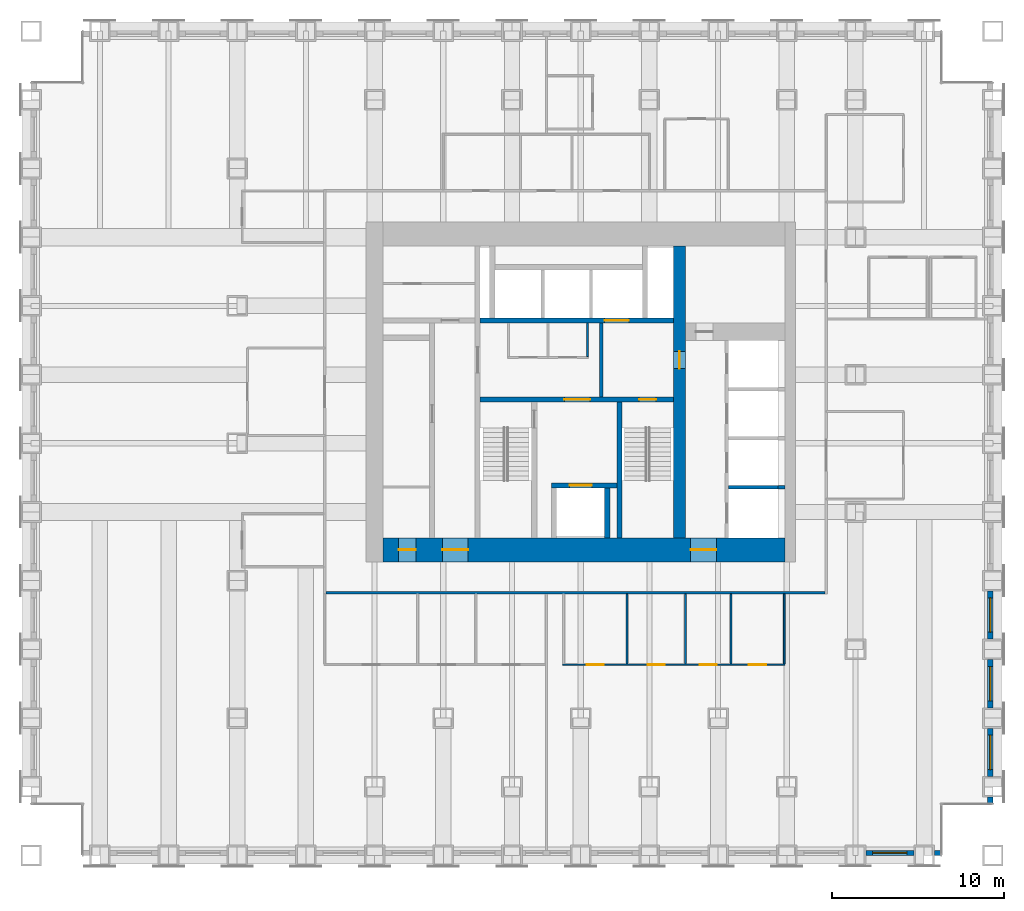
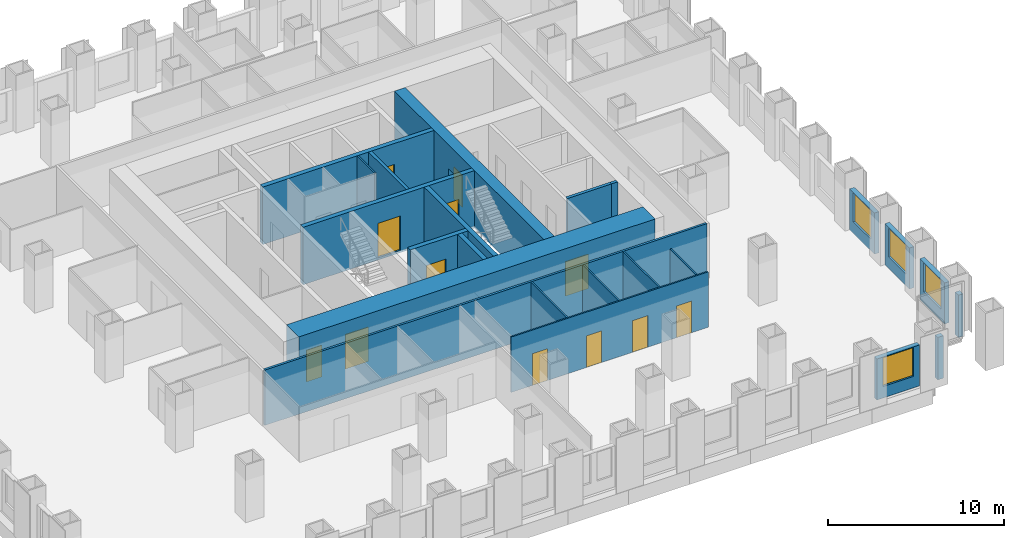
# One storey, part 9 of 14: 23 walls, 12 doors, 4 windows, 16 openings.
"""IFC4 building model written with IfcOpenShell, lengths in metres."""

from ifc_helpers import new_model, si_unit, direction, frame, frame_2d, origin, place, context, subcontext, project, spatial, rectangle, extrude, material, layer, layer_set, type_object, element, fill, save


model = new_model("IFC4")

# Units and contexts
model_context = context("Model", 3, precision=1e-05, world=origin(), true_north=direction((0.0, 1.0)))
body_context = subcontext(model_context, "Body", "Model", "MODEL_VIEW")
ifc_project = project(units=[si_unit("LENGTHUNIT", "METRE"), si_unit("AREAUNIT", "SQUARE_METRE"), si_unit("VOLUMEUNIT", "CUBIC_METRE"), si_unit("PLANEANGLEUNIT", "RADIAN"), si_unit("MASSUNIT", "GRAM", prefix="KILO")], contexts=[model_context])

# Site, building, storey
site_placement = place(None, origin())
site = spatial("IfcSite", under=ifc_project, at=site_placement, CompositionType="ELEMENT")
building_placement = place(site_placement, origin())
building = spatial("IfcBuilding", under=site, at=building_placement, Name="Rimbunsela Tower", CompositionType="ELEMENT")
storey_placement = place(building_placement, frame((0.0, 0.0, 51.0)))
storey = spatial("IfcBuildingStorey", under=building, at=storey_placement, Name="L12", CompositionType="ELEMENT", Elevation=51.0)

# Wall, openings, doors
ifc_material_1 = material(Name="Concrete fc' 80 MPa", Category="concrete")
ifc_layer_1 = layer(ifc_material_1, 0.300048828125)
ifc_layer_set_1 = layer_set([ifc_layer_1], Name="Core internal wall 300")
wall_type_1 = type_object("IfcWallType", Name="Core internal wall 300", PredefinedType="SHEAR", material=ifc_layer_set_1)
wall_1_placement = place(storey_placement, frame((24.14990234375, 26.550048828125, -0.14990234375), z_axis=(0.0, 0.0, 1.0), x_axis=(1.0, 0.0, 0.0)))
wall_1 = element("IfcWall", 1, at=wall_1_placement, inside=storey, type_object=wall_type_1, Name="Core wall lobby south", PredefinedType="SHEAR", context=body_context, shape_type="SweptSolid", body=[
    extrude(rectangle(XDim=11.25, YDim=0.300048828125, at=frame_2d((5.625, 0.0))), origin(), (0.0, 0.0, 1.0), 4.0),
])
opening_1_placement = place(wall_1_placement, frame((9.25, 0.0, 0.14990234375)))
opening_1 = element("IfcOpeningElement", 2, at=opening_1_placement, cuts=wall_1, Name="Opening D01", PredefinedType="OPENING", context=body_context, shape_type="SweptSolid", body=[
    extrude(rectangle(XDim=1.0, YDim=2.199951171875, at=frame_2d((0.5, 1.10009765625))), frame((0.0, 0.159912109375, 0.0), z_axis=(0.0, -1.0, 0.0), x_axis=(1.0, 0.0, 0.0)), (0.0, 0.0, 1.0), 0.320068359375),
])
opening_2_placement = place(wall_1_placement, frame((4.89990234375, 0.0, 0.14990234375)))
opening_2 = element("IfcOpeningElement", 3, at=opening_2_placement, cuts=wall_1, Name="Opening D03", PredefinedType="OPENING", context=body_context, shape_type="SweptSolid", body=[
    extrude(rectangle(XDim=1.5, YDim=2.39990234375, at=frame_2d((0.75, 1.199951171875))), frame((0.0, 0.159912109375, 0.0), z_axis=(0.0, -1.0, 0.0), x_axis=(1.0, 0.0, 0.0)), (0.0, 0.0, 1.0), 0.320068359375),
])
ifc_material_2 = material(Name="Steel door, fire rated", Category="steel")
door_type_1 = type_object("IfcDoorType", Name="Core lobby door 1500", OperationType="DOUBLE_DOOR_DOUBLE_SWING", PredefinedType="DOOR", material=ifc_material_2)
door_1_placement = place(opening_2_placement, origin())
door_1 = element("IfcDoor", 4, at=door_1_placement, inside=storey, type_object=door_type_1, Name="Firefighting lobby door", OperationType="DOUBLE_DOOR_DOUBLE_SWING", OverallHeight=2.39990234375, OverallWidth=1.5, PredefinedType="DOOR", context=body_context, shape_type="SweptSolid", body=[
    extrude(rectangle(XDim=1.5, YDim=2.39990234375, at=frame_2d((0.75, 1.199951171875))), frame((0.0, 0.02490234375, 0.0), z_axis=(0.0, -1.0, 0.0), x_axis=(1.0, 0.0, 0.0)), (0.0, 0.0, 1.0), 0.050048828125),
])
fill(opening_2, door_1)
ifc_material_3 = material(Name="Steel door, fire rated", Category="steel")
door_type_2 = type_object("IfcDoorType", Name="Stair door 1000", OperationType="SINGLE_SWING_RIGHT", PredefinedType="DOOR", material=ifc_material_3)
door_2_placement = place(opening_1_placement, frame((1.0, 0.0, 0.0), z_axis=(0.0, 0.0, 1.0), x_axis=(-1.0, 0.0, 0.0)))
door_2 = element("IfcDoor", 5, at=door_2_placement, inside=storey, type_object=door_type_2, Name="Stair B door", OperationType="SINGLE_SWING_RIGHT", OverallHeight=2.199951171875, OverallWidth=1.0, PredefinedType="DOOR", context=body_context, shape_type="SweptSolid", body=[
    extrude(rectangle(XDim=1.0, YDim=2.199951171875, at=frame_2d((0.5, 1.10009765625))), frame((0.0, 0.02490234375, 0.0), z_axis=(0.0, -1.0, 0.0), x_axis=(1.0, 0.0, 0.0)), (0.0, 0.0, 1.0), 0.050048828125),
])
fill(opening_1, door_2)

# Walls
wall_2_placement = place(storey_placement, frame((32.25, 18.5, -0.14990234375), z_axis=(0.0, 0.0, 1.0), x_axis=(0.0, 1.0, 0.0)))
element("IfcWall", 6, at=wall_2_placement, inside=storey, type_object=wall_type_1, Name="Stair B enclosure", PredefinedType="SHEAR", context=body_context, shape_type="SweptSolid", body=[
    extrude(rectangle(XDim=7.89990234375, YDim=0.300048828125, at=frame_2d((3.949951171875, 0.0))), origin(), (0.0, 0.0, 1.0), 4.0),
])
wall_3_placement = place(storey_placement, frame((31.550048828125, 18.5, -0.14990234375), z_axis=(0.0, 0.0, 1.0), x_axis=(0.0, 1.0, 0.0)))
element("IfcWall", 7, at=wall_3_placement, inside=storey, type_object=wall_type_1, Name="Firefighting lift shaft east", PredefinedType="SHEAR", context=body_context, shape_type="SweptSolid", body=[
    extrude(rectangle(XDim=2.89990234375, YDim=0.300048828125, at=frame_2d((1.449951171875, 0.0))), origin(), (0.0, 0.0, 1.0), 4.0),
])

# Wall, opening, door
wall_4_placement = place(storey_placement, frame((28.300048828125, 21.550048828125, -0.14990234375), z_axis=(0.0, 0.0, 1.0), x_axis=(1.0, 0.0, 0.0)))
wall_4 = element("IfcWall", 8, at=wall_4_placement, inside=storey, type_object=wall_type_1, Name="Firefighting lift shaft front", PredefinedType="SHEAR", context=body_context, shape_type="SweptSolid", body=[
    extrude(rectangle(XDim=3.800048828125, YDim=0.300048828125, at=frame_2d((1.89990234375, 0.0))), origin(), (0.0, 0.0, 1.0), 4.0),
])
opening_3_placement = place(wall_4_placement, frame((1.050048828125, 0.0, 0.14990234375)))
opening_3 = element("IfcOpeningElement", 9, at=opening_3_placement, cuts=wall_4, Name="Opening LD2", PredefinedType="OPENING", context=body_context, shape_type="SweptSolid", body=[
    extrude(rectangle(XDim=1.300048828125, YDim=2.39990234375, at=frame_2d((0.64990234375, 1.199951171875))), frame((0.0, 0.159912109375, 0.0), z_axis=(0.0, -1.0, 0.0), x_axis=(1.0, 0.0, 0.0)), (0.0, 0.0, 1.0), 0.320068359375),
])
ifc_material_4 = material(Name="Steel door, fire rated", Category="steel")
door_type_3 = type_object("IfcDoorType", Name="Lift landing door 1300", OperationType="DOUBLE_DOOR_SLIDING", PredefinedType="DOOR", material=ifc_material_4)
door_3_placement = place(opening_3_placement, origin())
door_3 = element("IfcDoor", 10, at=door_3_placement, inside=storey, type_object=door_type_3, Name="Lift landing door FL1", OperationType="DOUBLE_DOOR_SLIDING", OverallHeight=2.39990234375, OverallWidth=1.300048828125, PredefinedType="DOOR", context=body_context, shape_type="SweptSolid", body=[
    extrude(rectangle(XDim=1.300048828125, YDim=2.39990234375, at=frame_2d((0.64990234375, 1.199951171875))), frame((0.0, 0.02490234375, 0.0), z_axis=(0.0, -1.0, 0.0), x_axis=(1.0, 0.0, 0.0)), (0.0, 0.0, 1.0), 0.050048828125),
])
fill(opening_3, door_3)

wall_5_placement = place(storey_placement, frame((24.14990234375, 31.14990234375, -0.14990234375), z_axis=(0.0, 0.0, 1.0), x_axis=(1.0, 0.0, 0.0)))
wall_5 = element("IfcWall", 11, at=wall_5_placement, inside=storey, type_object=wall_type_1, Name="Lift shaft front north", PredefinedType="SHEAR", context=body_context, shape_type="SweptSolid", body=[
    extrude(rectangle(XDim=11.25, YDim=0.300048828125, at=frame_2d((5.625, 0.0))), origin(), (0.0, 0.0, 1.0), 4.0),
])
opening_4_placement = place(wall_5_placement, frame((7.25, 0.0, 0.14990234375)))
opening_4 = element("IfcOpeningElement", 12, at=opening_4_placement, cuts=wall_5, Name="Opening LD3", PredefinedType="OPENING", context=body_context, shape_type="SweptSolid", body=[
    extrude(rectangle(XDim=1.39990234375, YDim=2.39990234375, at=frame_2d((0.699951171875, 1.199951171875))), frame((0.0, 0.159912109375, 0.0), z_axis=(0.0, -1.0, 0.0), x_axis=(1.0, 0.0, 0.0)), (0.0, 0.0, 1.0), 0.320068359375),
])
ifc_material_5 = material(Name="Steel door, fire rated", Category="steel")
door_type_4 = type_object("IfcDoorType", Name="Lift landing door 1400", OperationType="DOUBLE_DOOR_SLIDING", PredefinedType="DOOR", material=ifc_material_5)
door_4_placement = place(opening_4_placement, origin())
door_4 = element("IfcDoor", 13, at=door_4_placement, inside=storey, type_object=door_type_4, Name="Lift landing door FL2", OperationType="DOUBLE_DOOR_SLIDING", OverallHeight=2.39990234375, OverallWidth=1.39990234375, PredefinedType="DOOR", context=body_context, shape_type="SweptSolid", body=[
    extrude(rectangle(XDim=1.39990234375, YDim=2.39990234375, at=frame_2d((0.699951171875, 1.199951171875))), frame((0.0, 0.02490234375, 0.0), z_axis=(0.0, -1.0, 0.0), x_axis=(1.0, 0.0, 0.0)), (0.0, 0.0, 1.0), 0.050048828125),
])
fill(opening_4, door_4)

# Wall
ifc_material_6 = material(Name="Concrete blockwork", Category="masonry")
ifc_layer_2 = layer(ifc_material_6, 0.10009765625)
ifc_layer_set_2 = layer_set([ifc_layer_2], Name="Core room partition 100")
wall_type_2 = type_object("IfcWallType", Name="Core room partition 100", PredefinedType="PARTITIONING", material=ifc_layer_set_2)
wall_6_placement = place(storey_placement, frame((30.39990234375, 29.050048828125, 0.0), z_axis=(0.0, 0.0, 1.0), x_axis=(0.0, 1.0, 0.0)))
element("IfcWall", 14, at=wall_6_placement, inside=storey, type_object=wall_type_2, Name="Lobby room wall", PredefinedType="PARTITIONING", context=body_context, shape_type="SweptSolid", body=[
    extrude(rectangle(XDim=1.949951171875, YDim=0.10009765625, at=frame_2d((0.97509765625, 0.0))), origin(), (0.0, 0.0, 1.0), 3.85009765625),
])

# Wall, openings, doors
ifc_material_7 = material(Name="Concrete fc' 80 MPa", Category="concrete")
ifc_layer_3 = layer(ifc_material_7, 1.39990234375)
ifc_layer_set_3 = layer_set([ifc_layer_3], Name="Core wall 1400")
wall_type_3 = type_object("IfcWallType", Name="Core wall 1400", PredefinedType="SHEAR", material=ifc_layer_set_3)
wall_7_placement = place(storey_placement, frame((18.5, 17.800048828125, -0.14990234375), z_axis=(0.0, 0.0, 1.0), x_axis=(1.0, 0.0, 0.0)))
wall_7 = element("IfcWall", 15, at=wall_7_placement, inside=storey, type_object=wall_type_3, Name="Core wall south", PredefinedType="SHEAR", context=body_context, shape_type="SweptSolid", body=[
    extrude(rectangle(XDim=23.39990234375, YDim=1.39990234375, at=frame_2d((11.699951171875, 0.0))), origin(), (0.0, 0.0, 1.0), 4.0),
])
opening_5_placement = place(wall_7_placement, frame((3.449951171875, 0.0, 0.14990234375)))
opening_5 = element("IfcOpeningElement", 16, at=opening_5_placement, cuts=wall_7, Name="Opening D03", PredefinedType="OPENING", context=body_context, shape_type="SweptSolid", body=[
    extrude(rectangle(XDim=1.5, YDim=2.39990234375, at=frame_2d((0.75, 1.199951171875))), frame((0.0, 0.7099609375, 0.0), z_axis=(0.0, -1.0, 0.0), x_axis=(1.0, 0.0, 0.0)), (0.0, 0.0, 1.0), 1.419921875),
])
opening_6_placement = place(wall_7_placement, frame((17.89990234375, 0.0, 0.14990234375)))
opening_6 = element("IfcOpeningElement", 17, at=opening_6_placement, cuts=wall_7, Name="Opening D03", PredefinedType="OPENING", context=body_context, shape_type="SweptSolid", body=[
    extrude(rectangle(XDim=1.5, YDim=2.39990234375, at=frame_2d((0.75, 1.199951171875))), frame((0.0, 0.7099609375, 0.0), z_axis=(0.0, -1.0, 0.0), x_axis=(1.0, 0.0, 0.0)), (0.0, 0.0, 1.0), 1.419921875),
])
opening_7_placement = place(wall_7_placement, frame((0.89990234375, 0.0, 0.14990234375)))
opening_7 = element("IfcOpeningElement", 18, at=opening_7_placement, cuts=wall_7, Name="Opening D19", PredefinedType="OPENING", context=body_context, shape_type="SweptSolid", body=[
    extrude(rectangle(XDim=1.0, YDim=2.199951171875, at=frame_2d((0.5, 1.10009765625))), frame((0.0, 0.7099609375, 0.0), z_axis=(0.0, -1.0, 0.0), x_axis=(1.0, 0.0, 0.0)), (0.0, 0.0, 1.0), 1.419921875),
])
door_5_placement = place(opening_5_placement, origin())
door_5 = element("IfcDoor", 19, at=door_5_placement, inside=storey, type_object=door_type_1, Name="Core door south", OperationType="DOUBLE_DOOR_DOUBLE_SWING", OverallHeight=2.39990234375, OverallWidth=1.5, PredefinedType="DOOR", context=body_context, shape_type="SweptSolid", body=[
    extrude(rectangle(XDim=1.5, YDim=2.39990234375, at=frame_2d((0.75, 1.199951171875))), frame((0.0, 0.02490234375, 0.0), z_axis=(0.0, -1.0, 0.0), x_axis=(1.0, 0.0, 0.0)), (0.0, 0.0, 1.0), 0.050048828125),
])
fill(opening_5, door_5)
door_6_placement = place(opening_6_placement, origin())
door_6 = element("IfcDoor", 20, at=door_6_placement, inside=storey, type_object=door_type_1, Name="Core door south-east", OperationType="DOUBLE_DOOR_DOUBLE_SWING", OverallHeight=2.39990234375, OverallWidth=1.5, PredefinedType="DOOR", context=body_context, shape_type="SweptSolid", body=[
    extrude(rectangle(XDim=1.5, YDim=2.39990234375, at=frame_2d((0.75, 1.199951171875))), frame((0.0, 0.02490234375, 0.0), z_axis=(0.0, -1.0, 0.0), x_axis=(1.0, 0.0, 0.0)), (0.0, 0.0, 1.0), 0.050048828125),
])
fill(opening_6, door_6)
ifc_material_8 = material(Name="Steel door, fire rated", Category="steel")
door_type_5 = type_object("IfcDoorType", Name="Service door 1000 fire rated", OperationType="SINGLE_SWING_LEFT", PredefinedType="DOOR", material=ifc_material_8)
door_7_placement = place(opening_7_placement, origin())
door_7 = element("IfcDoor", 21, at=door_7_placement, inside=storey, type_object=door_type_5, Name="Electrical room door", OperationType="SINGLE_SWING_LEFT", OverallHeight=2.199951171875, OverallWidth=1.0, PredefinedType="DOOR", context=body_context, shape_type="SweptSolid", body=[
    extrude(rectangle(XDim=1.0, YDim=2.199951171875, at=frame_2d((0.5, 1.10009765625))), frame((0.0, 0.02490234375, 0.0), z_axis=(0.0, -1.0, 0.0), x_axis=(1.0, 0.0, 0.0)), (0.0, 0.0, 1.0), 0.050048828125),
])
fill(opening_7, door_7)

# Wall, opening, door
ifc_material_9 = material(Name="Concrete fc' 80 MPa", Category="concrete")
ifc_layer_4 = layer(ifc_material_9, 0.699951171875)
ifc_layer_set_4 = layer_set([ifc_layer_4], Name="Core wall 700 east")
wall_type_4 = type_object("IfcWallType", Name="Core wall 700 east", PredefinedType="SHEAR", material=ifc_layer_set_4)
wall_8_placement = place(storey_placement, frame((35.75, 18.5, -0.14990234375), z_axis=(0.0, 0.0, 1.0), x_axis=(0.0, 1.0, 0.0)))
wall_8 = element("IfcWall", 22, at=wall_8_placement, inside=storey, type_object=wall_type_4, Name="Core wall low-rise bank", PredefinedType="SHEAR", context=body_context, shape_type="SweptSolid", body=[
    extrude(rectangle(XDim=17.0, YDim=0.699951171875, at=frame_2d((8.5, 0.0))), origin(), (0.0, 0.0, 1.0), 4.0),
])
opening_8_placement = place(wall_8_placement, frame((9.85009765625, 0.0, 0.14990234375)))
opening_8 = element("IfcOpeningElement", 23, at=opening_8_placement, cuts=wall_8, Name="Opening D01", PredefinedType="OPENING", context=body_context, shape_type="SweptSolid", body=[
    extrude(rectangle(XDim=1.0, YDim=2.199951171875, at=frame_2d((0.5, 1.10009765625))), frame((0.0, 0.35986328125, 0.0), z_axis=(0.0, -1.0, 0.0), x_axis=(1.0, 0.0, 0.0)), (0.0, 0.0, 1.0), 0.719970703125),
])
door_8_placement = place(opening_8_placement, origin())
door_8 = element("IfcDoor", 24, at=door_8_placement, inside=storey, type_object=door_type_2, Name="Firefighting lobby 2 door", OperationType="SINGLE_SWING_RIGHT", OverallHeight=2.199951171875, OverallWidth=1.0, PredefinedType="DOOR", context=body_context, shape_type="SweptSolid", body=[
    extrude(rectangle(XDim=1.0, YDim=2.199951171875, at=frame_2d((0.5, 1.10009765625))), frame((0.0, 0.02490234375, 0.0), z_axis=(0.0, -1.0, 0.0), x_axis=(1.0, 0.0, 0.0)), (0.0, 0.0, 1.0), 0.050048828125),
])
fill(opening_8, door_8)

# Walls
ifc_material_10 = material(Name="Concrete blockwork", Category="masonry")
ifc_layer_5 = layer(ifc_material_10, 0.199951171875)
ifc_layer_set_5 = layer_set([ifc_layer_5], Name="Lift shaft wall 200")
wall_type_5 = type_object("IfcWallType", Name="Lift shaft wall 200", PredefinedType="SOLIDWALL", material=ifc_layer_set_5)
wall_9_placement = place(storey_placement, frame((38.60009765625, 21.449951171875, -0.14990234375), z_axis=(0.0, 0.0, 1.0), x_axis=(1.0, 0.0, 0.0)))
element("IfcWall", 25, at=wall_9_placement, inside=storey, type_object=wall_type_5, Name="Lift shaft separation", PredefinedType="SOLIDWALL", context=body_context, shape_type="SweptSolid", body=[
    extrude(rectangle(XDim=2.89990234375, YDim=0.199951171875, at=frame_2d((1.449951171875, 0.0))), origin(), (0.0, 0.0, 1.0), 4.0),
])
wall_10_placement = place(storey_placement, frame((41.5, 21.449951171875, -0.14990234375), z_axis=(0.0, 0.0, 1.0), x_axis=(1.0, 0.0, 0.0)))
element("IfcWall", 26, at=wall_10_placement, inside=storey, type_object=wall_type_5, Name="Lift shaft separation", PredefinedType="SOLIDWALL", context=body_context, shape_type="SweptSolid", body=[
    extrude(rectangle(XDim=0.39990234375, YDim=0.199951171875, at=frame_2d((0.199951171875, 0.0))), origin(), (0.0, 0.0, 1.0), 4.0),
])
wall_11_placement = place(storey_placement, frame((31.199951171875, 26.699951171875, 0.0), z_axis=(0.0, 0.0, 1.0), x_axis=(0.0, 1.0, 0.0)))
element("IfcWall", 27, at=wall_11_placement, inside=storey, type_object=wall_type_5, Name="Firefighting lobby 2 wall", PredefinedType="SOLIDWALL", context=body_context, shape_type="SweptSolid", body=[
    extrude(rectangle(XDim=4.300048828125, YDim=0.199951171875, at=frame_2d((2.14990234375, 0.0))), origin(), (0.0, 0.0, 1.0), 3.85009765625),
])

# Wall, openings, doors
ifc_material_11 = material(Name="Gypsum board on steel studs", Category="steel")
ifc_layer_6 = layer(ifc_material_11, 0.10009765625)
ifc_layer_set_6 = layer_set([ifc_layer_6], Name="Office partition 100")
wall_type_6 = type_object("IfcWallType", Name="Office partition 100", PredefinedType="PARTITIONING", material=ifc_layer_set_6)
wall_12_placement = place(storey_placement, frame((28.948974609375, 11.10009765625, 0.0), z_axis=(0.0, 0.0, 1.0), x_axis=(1.0, 0.0, 0.0)))
wall_12 = element("IfcWall", 28, at=wall_12_placement, inside=storey, type_object=wall_type_6, Name="Office partition", PredefinedType="PARTITIONING", context=body_context, shape_type="SweptSolid", body=[
    extrude(rectangle(XDim=12.949951171875, YDim=0.10009765625, at=frame_2d((6.47509765625, 0.0))), origin(), (0.0, 0.0, 1.0), 3.85009765625),
])
opening_9_placement = place(wall_12_placement, frame((1.39990234375, 0.0, 0.0)))
opening_9 = element("IfcOpeningElement", 29, at=opening_9_placement, cuts=wall_12, Name="Opening D17", PredefinedType="OPENING", context=body_context, shape_type="SweptSolid", body=[
    extrude(rectangle(XDim=1.0, YDim=2.199951171875, at=frame_2d((0.5, 1.10009765625))), frame((0.0, 0.06005859375, 0.0), z_axis=(0.0, -1.0, 0.0), x_axis=(1.0, 0.0, 0.0)), (0.0, 0.0, 1.0), 0.1201171875),
])
opening_10_placement = place(wall_12_placement, frame((4.949951171875, 0.0, 0.0)))
opening_10 = element("IfcOpeningElement", 30, at=opening_10_placement, cuts=wall_12, Name="Opening D16", PredefinedType="OPENING", context=body_context, shape_type="SweptSolid", body=[
    extrude(rectangle(XDim=1.0, YDim=2.199951171875, at=frame_2d((0.5, 1.10009765625))), frame((0.0, 0.06005859375, 0.0), z_axis=(0.0, -1.0, 0.0), x_axis=(1.0, 0.0, 0.0)), (0.0, 0.0, 1.0), 0.1201171875),
])
opening_11_placement = place(wall_12_placement, frame((7.97509765625, 0.0, 0.0)))
opening_11 = element("IfcOpeningElement", 31, at=opening_11_placement, cuts=wall_12, Name="Opening D16", PredefinedType="OPENING", context=body_context, shape_type="SweptSolid", body=[
    extrude(rectangle(XDim=1.0, YDim=2.199951171875, at=frame_2d((0.5, 1.10009765625))), frame((0.0, 0.06005859375, 0.0), z_axis=(0.0, -1.0, 0.0), x_axis=(1.0, 0.0, 0.0)), (0.0, 0.0, 1.0), 0.1201171875),
])
opening_12_placement = place(wall_12_placement, frame((10.85009765625, 0.0, 0.0)))
opening_12 = element("IfcOpeningElement", 32, at=opening_12_placement, cuts=wall_12, Name="Opening D16", PredefinedType="OPENING", context=body_context, shape_type="SweptSolid", body=[
    extrude(rectangle(XDim=1.0, YDim=2.199951171875, at=frame_2d((0.5, 1.10009765625))), frame((0.0, 0.06005859375, 0.0), z_axis=(0.0, -1.0, 0.0), x_axis=(1.0, 0.0, 0.0)), (0.0, 0.0, 1.0), 0.1201171875),
])
ifc_material_12 = material(Name="Glazed aluminium door", Category="aluminium")
door_type_6 = type_object("IfcDoorType", Name="Meeting room door 1000 glazed", OperationType="SINGLE_SWING_RIGHT", PredefinedType="DOOR", material=ifc_material_12)
door_9_placement = place(opening_9_placement, origin())
door_9 = element("IfcDoor", 33, at=door_9_placement, inside=storey, type_object=door_type_6, Name="Meeting room door", OperationType="SINGLE_SWING_RIGHT", OverallHeight=2.199951171875, OverallWidth=1.0, PredefinedType="DOOR", context=body_context, shape_type="SweptSolid", body=[
    extrude(rectangle(XDim=1.0, YDim=2.199951171875, at=frame_2d((0.5, 1.10009765625))), frame((0.0, 0.02490234375, 0.0), z_axis=(0.0, -1.0, 0.0), x_axis=(1.0, 0.0, 0.0)), (0.0, 0.0, 1.0), 0.050048828125),
])
fill(opening_9, door_9)
ifc_material_13 = material(Name="Timber door", Category="wood")
door_type_7 = type_object("IfcDoorType", Name="Office door 1000", OperationType="SINGLE_SWING_LEFT", PredefinedType="DOOR", material=ifc_material_13)
door_10_placement = place(opening_10_placement, origin())
door_10 = element("IfcDoor", 34, at=door_10_placement, inside=storey, type_object=door_type_7, Name="Office door", OperationType="SINGLE_SWING_LEFT", OverallHeight=2.199951171875, OverallWidth=1.0, PredefinedType="DOOR", context=body_context, shape_type="SweptSolid", body=[
    extrude(rectangle(XDim=1.0, YDim=2.199951171875, at=frame_2d((0.5, 1.10009765625))), frame((0.0, 0.02490234375, 0.0), z_axis=(0.0, -1.0, 0.0), x_axis=(1.0, 0.0, 0.0)), (0.0, 0.0, 1.0), 0.050048828125),
])
fill(opening_10, door_10)
door_11_placement = place(opening_11_placement, origin())
door_11 = element("IfcDoor", 35, at=door_11_placement, inside=storey, type_object=door_type_7, Name="Office door", OperationType="SINGLE_SWING_LEFT", OverallHeight=2.199951171875, OverallWidth=1.0, PredefinedType="DOOR", context=body_context, shape_type="SweptSolid", body=[
    extrude(rectangle(XDim=1.0, YDim=2.199951171875, at=frame_2d((0.5, 1.10009765625))), frame((0.0, 0.02490234375, 0.0), z_axis=(0.0, -1.0, 0.0), x_axis=(1.0, 0.0, 0.0)), (0.0, 0.0, 1.0), 0.050048828125),
])
fill(opening_11, door_11)
door_12_placement = place(opening_12_placement, origin())
door_12 = element("IfcDoor", 36, at=door_12_placement, inside=storey, type_object=door_type_7, Name="Office door", OperationType="SINGLE_SWING_LEFT", OverallHeight=2.199951171875, OverallWidth=1.0, PredefinedType="DOOR", context=body_context, shape_type="SweptSolid", body=[
    extrude(rectangle(XDim=1.0, YDim=2.199951171875, at=frame_2d((0.5, 1.10009765625))), frame((0.0, 0.02490234375, 0.0), z_axis=(0.0, -1.0, 0.0), x_axis=(1.0, 0.0, 0.0)), (0.0, 0.0, 1.0), 0.050048828125),
])
fill(opening_12, door_12)

# Walls
for number, where, z_axis, x_axis, name in (
    (37, (32.698974609375, 11.14990234375, 0.0), (0.0, 0.0, 1.0), (0.0, 1.0, 0.0), "Office partition"),
    (38, (36.09912109375, 11.14990234375, 0.0), (0.0, 0.0, 1.0), (0.0, 1.0, 0.0), "Office partition"),
    (39, (38.7490234375, 11.14990234375, 0.0), (0.0, 0.0, 1.0), (0.0, 1.0, 0.0), "Office partition"),
):
    element("IfcWall", number, at=place(storey_placement, frame(where, z_axis=z_axis, x_axis=x_axis)), inside=storey, type_object=wall_type_6, Name=name, PredefinedType="PARTITIONING", context=body_context, shape_type="SweptSolid", body=[
        extrude(rectangle(XDim=4.0751953125, YDim=0.10009765625, at=frame_2d((2.03759765625, 0.0))), origin(), (0.0, 0.0, 1.0), 3.85009765625),
    ])
wall_13_placement = place(storey_placement, frame((41.84912109375, 11.14990234375, 0.0), z_axis=(0.0, 0.0, 1.0), x_axis=(0.0, 1.0, 0.0)))
element("IfcWall", 40, at=wall_13_placement, inside=storey, type_object=wall_type_6, Name="Office partition", PredefinedType="PARTITIONING", context=body_context, shape_type="SweptSolid", body=[
    extrude(rectangle(XDim=4.0751953125, YDim=0.10009765625, at=frame_2d((2.03759765625, 0.0))), origin(), (0.0, 0.0, 1.0), 2.949951171875),
])

# Wall, opening, window
ifc_material_14 = material(Name="Precast concrete fc' 35 MPa", Category="concrete")
ifc_layer_7 = layer(ifc_material_14, 0.300048828125)
ifc_layer_set_7 = layer_set([ifc_layer_7], Name="Precast concrete fc' 35 MPa")
wall_type_7 = type_object("IfcWallType", Name="Precast facade panel 300", PredefinedType="ELEMENTEDWALL", material=ifc_layer_set_7)
wall_14_placement = place(storey_placement, frame((46.60009765625, 0.14990234375, 0.0), z_axis=(0.0, 0.0, 1.0), x_axis=(1.0, 0.0, 0.0)))
wall_14 = element("IfcWall", 41, at=wall_14_placement, inside=storey, type_object=wall_type_7, Name="Facade panel S L12", PredefinedType="ELEMENTEDWALL", context=body_context, shape_type="SweptSolid", body=[
    extrude(rectangle(XDim=2.7998046875, YDim=0.300048828125, at=frame_2d((1.39990234375, 0.0))), origin(), (0.0, 0.0, 1.0), 2.85009765625),
])
opening_13_placement = place(wall_14_placement, frame((0.39990234375, 0.0, 0.800048828125)))
opening_13 = element("IfcOpeningElement", 42, at=opening_13_placement, cuts=wall_14, Name="Opening W1", PredefinedType="OPENING", context=body_context, shape_type="SweptSolid", body=[
    extrude(rectangle(XDim=2.0, YDim=2.0, at=frame_2d((1.0, 1.0))), frame((0.0, 0.159912109375, 0.0), z_axis=(0.0, -1.0, 0.0), x_axis=(1.0, 0.0, 0.0)), (0.0, 0.0, 1.0), 0.320068359375),
])
ifc_material_15 = material(Name="Clear glass in aluminium frame", Category="aluminium")
window_type = type_object("IfcWindowType", Name="Window W1 2000x2000", PartitioningType="DOUBLE_PANEL_VERTICAL", PredefinedType="WINDOW", material=ifc_material_15)
window_1_placement = place(opening_13_placement, origin())
window_1 = element("IfcWindow", 43, at=window_1_placement, inside=storey, type_object=window_type, Name="Window L12", OverallHeight=2.0, OverallWidth=2.0, PartitioningType="SINGLE_PANEL", PredefinedType="WINDOW", context=body_context, shape_type="SweptSolid", body=[
    extrude(rectangle(XDim=2.0, YDim=2.0, at=frame_2d((1.0, 1.0))), frame((0.0, 0.030029296875, 0.0), z_axis=(0.0, -1.0, 0.0), x_axis=(1.0, 0.0, 0.0)), (0.0, 0.0, 1.0), 0.06005859375),
])
fill(opening_13, window_1)

# Walls
for number, where, z_axis, x_axis, name in (
    (44, (50.60009765625, 0.14990234375, 0.0), (0.0, 0.0, 1.0), (1.0, 0.0, 0.0), "Facade panel S L12"),
    (45, (53.85009765625, 3.030029296875, 0.0), (0.0, 0.0, 1.0), (0.0, 1.0, 0.0), "Facade panel E L12"),
):
    element("IfcWall", number, at=place(storey_placement, frame(where, z_axis=z_axis, x_axis=x_axis)), inside=storey, type_object=wall_type_7, Name=name, PredefinedType="ELEMENTEDWALL", context=body_context, shape_type="SweptSolid", body=[
        extrude(rectangle(XDim=0.369873046875, YDim=0.300048828125, at=frame_2d((0.18505859375, 0.0))), origin(), (0.0, 0.0, 1.0), 2.949951171875),
    ])

# Wall, opening, window
wall_15_placement = place(storey_placement, frame((53.85009765625, 4.60009765625, 0.0), z_axis=(0.0, 0.0, 1.0), x_axis=(0.0, 1.0, 0.0)))
wall_15 = element("IfcWall", 46, at=wall_15_placement, inside=storey, type_object=wall_type_7, Name="Facade panel E L12", PredefinedType="ELEMENTEDWALL", context=body_context, shape_type="SweptSolid", body=[
    extrude(rectangle(XDim=2.7998046875, YDim=0.300048828125, at=frame_2d((1.39990234375, 0.0))), origin(), (0.0, 0.0, 1.0), 2.85009765625),
])
opening_14_placement = place(wall_15_placement, frame((0.39990234375, 0.0, 0.800048828125)))
opening_14 = element("IfcOpeningElement", 47, at=opening_14_placement, cuts=wall_15, Name="Opening W1", PredefinedType="OPENING", context=body_context, shape_type="SweptSolid", body=[
    extrude(rectangle(XDim=2.0, YDim=2.0, at=frame_2d((1.0, 1.0))), frame((0.0, 0.159912109375, 0.0), z_axis=(0.0, -1.0, 0.0), x_axis=(1.0, 0.0, 0.0)), (0.0, 0.0, 1.0), 0.320068359375),
])
window_2_placement = place(opening_14_placement, origin())
window_2 = element("IfcWindow", 48, at=window_2_placement, inside=storey, type_object=window_type, Name="Window L12", OverallHeight=2.0, OverallWidth=2.0, PartitioningType="SINGLE_PANEL", PredefinedType="WINDOW", context=body_context, shape_type="SweptSolid", body=[
    extrude(rectangle(XDim=2.0, YDim=2.0, at=frame_2d((1.0, 1.0))), frame((0.0, 0.030029296875, 0.0), z_axis=(0.0, -1.0, 0.0), x_axis=(1.0, 0.0, 0.0)), (0.0, 0.0, 1.0), 0.06005859375),
])
fill(opening_14, window_2)

wall_16_placement = place(storey_placement, frame((53.85009765625, 8.60009765625, 0.0), z_axis=(0.0, 0.0, 1.0), x_axis=(0.0, 1.0, 0.0)))
wall_16 = element("IfcWall", 49, at=wall_16_placement, inside=storey, type_object=wall_type_7, Name="Facade panel E L12", PredefinedType="ELEMENTEDWALL", context=body_context, shape_type="SweptSolid", body=[
    extrude(rectangle(XDim=2.7998046875, YDim=0.300048828125, at=frame_2d((1.39990234375, 0.0))), origin(), (0.0, 0.0, 1.0), 2.85009765625),
])
opening_15_placement = place(wall_16_placement, frame((0.39990234375, 0.0, 0.800048828125)))
opening_15 = element("IfcOpeningElement", 50, at=opening_15_placement, cuts=wall_16, Name="Opening W1", PredefinedType="OPENING", context=body_context, shape_type="SweptSolid", body=[
    extrude(rectangle(XDim=2.0, YDim=2.0, at=frame_2d((1.0, 1.0))), frame((0.0, 0.159912109375, 0.0), z_axis=(0.0, -1.0, 0.0), x_axis=(1.0, 0.0, 0.0)), (0.0, 0.0, 1.0), 0.320068359375),
])
window_3_placement = place(opening_15_placement, origin())
window_3 = element("IfcWindow", 51, at=window_3_placement, inside=storey, type_object=window_type, Name="Window L12", OverallHeight=2.0, OverallWidth=2.0, PartitioningType="SINGLE_PANEL", PredefinedType="WINDOW", context=body_context, shape_type="SweptSolid", body=[
    extrude(rectangle(XDim=2.0, YDim=2.0, at=frame_2d((1.0, 1.0))), frame((0.0, 0.030029296875, 0.0), z_axis=(0.0, -1.0, 0.0), x_axis=(1.0, 0.0, 0.0)), (0.0, 0.0, 1.0), 0.06005859375),
])
fill(opening_15, window_3)

wall_17_placement = place(storey_placement, frame((53.85009765625, 12.60009765625, 0.0), z_axis=(0.0, 0.0, 1.0), x_axis=(0.0, 1.0, 0.0)))
wall_17 = element("IfcWall", 52, at=wall_17_placement, inside=storey, type_object=wall_type_7, Name="Facade panel E L12", PredefinedType="ELEMENTEDWALL", context=body_context, shape_type="SweptSolid", body=[
    extrude(rectangle(XDim=2.7998046875, YDim=0.300048828125, at=frame_2d((1.39990234375, 0.0))), origin(), (0.0, 0.0, 1.0), 2.85009765625),
])
opening_16_placement = place(wall_17_placement, frame((0.39990234375, 0.0, 0.800048828125)))
opening_16 = element("IfcOpeningElement", 53, at=opening_16_placement, cuts=wall_17, Name="Opening W1", PredefinedType="OPENING", context=body_context, shape_type="SweptSolid", body=[
    extrude(rectangle(XDim=2.0, YDim=2.0, at=frame_2d((1.0, 1.0))), frame((0.0, 0.159912109375, 0.0), z_axis=(0.0, -1.0, 0.0), x_axis=(1.0, 0.0, 0.0)), (0.0, 0.0, 1.0), 0.320068359375),
])
window_4_placement = place(opening_16_placement, origin())
window_4 = element("IfcWindow", 54, at=window_4_placement, inside=storey, type_object=window_type, Name="Window L12", OverallHeight=2.0, OverallWidth=2.0, PartitioningType="SINGLE_PANEL", PredefinedType="WINDOW", context=body_context, shape_type="SweptSolid", body=[
    extrude(rectangle(XDim=2.0, YDim=2.0, at=frame_2d((1.0, 1.0))), frame((0.0, 0.030029296875, 0.0), z_axis=(0.0, -1.0, 0.0), x_axis=(1.0, 0.0, 0.0)), (0.0, 0.0, 1.0), 0.06005859375),
])
fill(opening_16, window_4)

# Wall
ifc_material_16 = material(Name="Fire-rated gypsum board on steel studs, EI 60", Category="steel")
ifc_layer_8 = layer(ifc_material_16, 0.14990234375)
ifc_layer_set_8 = layer_set([ifc_layer_8], Name="Rated corridor wall 150")
wall_type_8 = type_object("IfcWallType", Name="Rated corridor wall 150", PredefinedType="PARTITIONING", material=ifc_layer_set_8)
wall_18_placement = place(storey_placement, frame((15.175048828125, 15.300048828125, 0.0), z_axis=(0.0, 0.0, 1.0), x_axis=(1.0, 0.0, 0.0)))
element("IfcWall", 55, at=wall_18_placement, inside=storey, type_object=wall_type_8, Name="Corridor wall south", PredefinedType="PARTITIONING", context=body_context, shape_type="SweptSolid", body=[
    extrude(rectangle(XDim=29.050048828125, YDim=0.14990234375, at=frame_2d((14.52490234375, 0.0))), origin(), (0.0, 0.0, 1.0), 3.85009765625),
])

save(model, "model.ifc")
